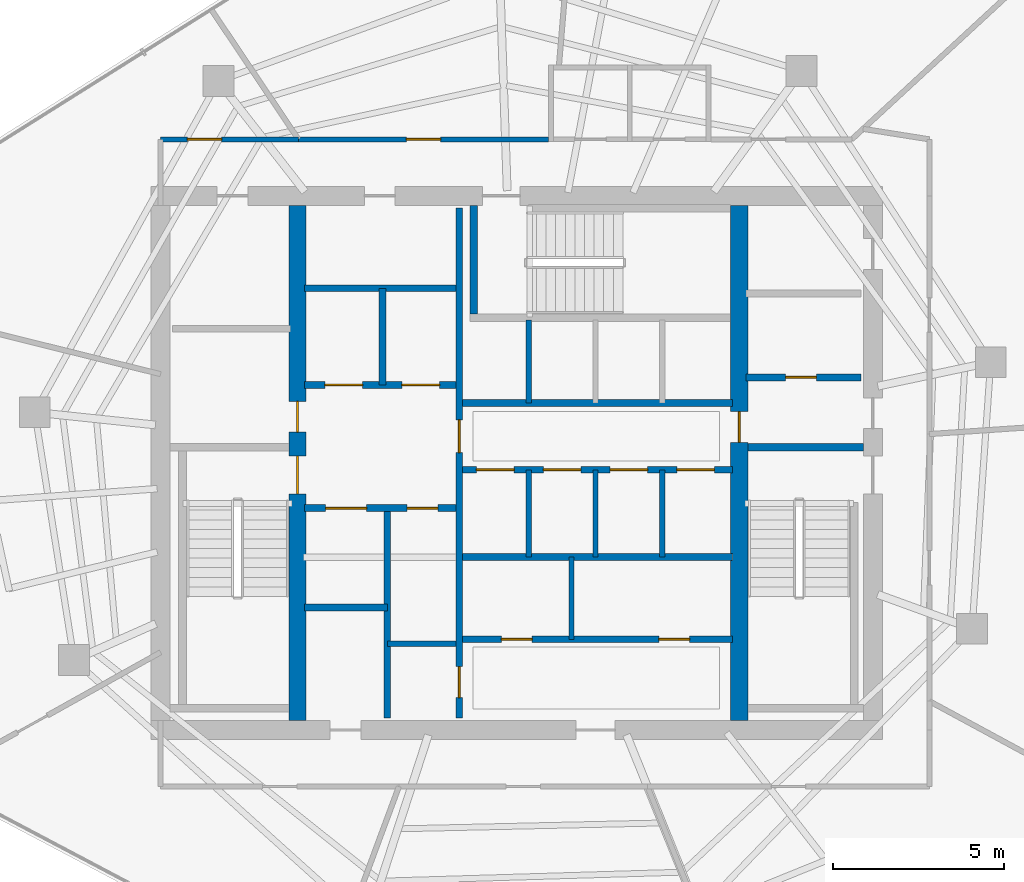
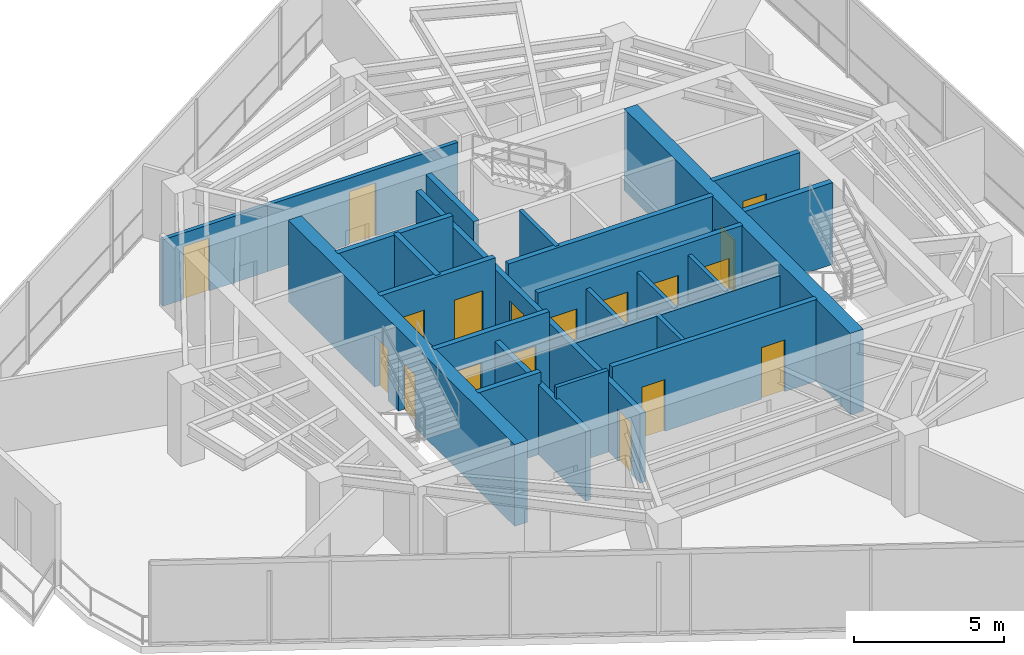
# One storey, part 15 of 19: 24 walls, 18 doors, 18 openings.
"""IFC4 building model written with IfcOpenShell, lengths in metres."""

from ifc_helpers import new_model, si_unit, direction, frame, frame_2d, origin, place, context, subcontext, project, spatial, rectangle, extrude, material, layer, layer_set, type_object, element, fill, save


model = new_model("IFC4")

# Units and contexts
model_context = context("Model", 3, precision=1e-05, world=origin(), true_north=direction((0.0, 1.0)))
body_context = subcontext(model_context, "Body", "Model", "MODEL_VIEW")
ifc_project = project(units=[si_unit("LENGTHUNIT", "METRE"), si_unit("AREAUNIT", "SQUARE_METRE"), si_unit("VOLUMEUNIT", "CUBIC_METRE"), si_unit("PLANEANGLEUNIT", "RADIAN"), si_unit("MASSUNIT", "GRAM", prefix="KILO")], contexts=[model_context])

# Site, building, storey
site_placement = place(None, origin())
site = spatial("IfcSite", under=ifc_project, at=site_placement, CompositionType="ELEMENT")
building_placement = place(site_placement, origin())
building = spatial("IfcBuilding", under=site, at=building_placement, Name="Qarnah Convention Tower", CompositionType="ELEMENT")
storey_placement = place(building_placement, frame((0.0, 0.0, 187.800048828125)))
storey = spatial("IfcBuildingStorey", under=building, at=storey_placement, Name="L50", CompositionType="ELEMENT", Elevation=187.800048828125)

# Wall, openings, doors
ifc_material_1 = material(Name="Concrete C60/75", Category="concrete")
ifc_layer_1 = layer(ifc_material_1, 0.5)
ifc_layer_set_1 = layer_set([ifc_layer_1], Name="Concrete C60/75")
wall_type_1 = type_object("IfcWallType", Name="WL-CORE-INT-400", PredefinedType="SHEAR", material=ifc_layer_set_1)
wall_1_placement = place(storey_placement, frame((30.800048828125, 18.875, 0.0), z_axis=(0.0, 0.0, 1.0), x_axis=(0.0, 1.0, 0.0)))
wall_1 = element("IfcWall", 1, at=wall_1_placement, inside=storey, type_object=wall_type_1, Name="L50 core west spine shear wall", PredefinedType="SHEAR", context=body_context, shape_type="SweptSolid", body=[
    extrude(rectangle(XDim=15.050048828125, YDim=0.5, at=frame_2d((7.52490234375, 0.0))), origin(), (0.0, 0.0, 1.0), 3.320068359375),
])
opening_1_placement = place(wall_1_placement, frame((6.625, 0.0, 0.0)))
opening_1 = element("IfcOpeningElement", 2, at=opening_1_placement, cuts=wall_1, Name="Opening D-5001", PredefinedType="OPENING", context=body_context, shape_type="SweptSolid", body=[
    extrude(rectangle(XDim=1.10009765625, YDim=2.14990234375, at=frame_2d((0.550048828125, 1.074951171875))), frame((0.0, 0.260009765625, 0.0), z_axis=(0.0, -1.0, 0.0), x_axis=(1.0, 0.0, 0.0)), (0.0, 0.0, 1.0), 0.52001953125),
])
opening_2_placement = place(wall_1_placement, frame((8.425048828125, 0.0, 0.0)))
opening_2 = element("IfcOpeningElement", 3, at=opening_2_placement, cuts=wall_1, Name="Opening D-5008", PredefinedType="OPENING", context=body_context, shape_type="SweptSolid", body=[
    extrude(rectangle(XDim=0.89990234375, YDim=2.10009765625, at=frame_2d((0.449951171875, 1.050048828125))), frame((0.0, 0.260009765625, 0.0), z_axis=(0.0, -1.0, 0.0), x_axis=(1.0, 0.0, 0.0)), (0.0, 0.0, 1.0), 0.52001953125),
])
ifc_material_2 = material(Name="Structural steel S355JR", Category="steel")
door_type_1 = type_object("IfcDoorType", Name="DT-RISER-900", OperationType="NOTDEFINED", PredefinedType="DOOR", material=ifc_material_2)
door_1_placement = place(opening_2_placement, origin())
door_1 = element("IfcDoor", 4, at=door_1_placement, inside=storey, type_object=door_type_1, Name="Door D-5008", OperationType="SINGLE_SWING_LEFT", OverallHeight=2.10009765625, OverallWidth=0.89990234375, PredefinedType="DOOR", context=body_context, shape_type="SweptSolid", body=[
    extrude(rectangle(XDim=0.89990234375, YDim=2.10009765625, at=frame_2d((0.449951171875, 1.050048828125))), frame((0.0, 0.02490234375, 0.0), z_axis=(0.0, -1.0, 0.0), x_axis=(1.0, 0.0, 0.0)), (0.0, 0.0, 1.0), 0.050048828125),
])
fill(opening_2, door_1)
door_type_2 = type_object("IfcDoorType", Name="DT-STAIR-1100", OperationType="NOTDEFINED", PredefinedType="DOOR", material=ifc_material_2)
door_2_placement = place(opening_1_placement, origin())
door_2 = element("IfcDoor", 5, at=door_2_placement, inside=storey, type_object=door_type_2, Name="Door D-5001", OperationType="SINGLE_SWING_RIGHT", OverallHeight=2.14990234375, OverallWidth=1.10009765625, PredefinedType="DOOR", context=body_context, shape_type="SweptSolid", body=[
    extrude(rectangle(XDim=1.10009765625, YDim=2.14990234375, at=frame_2d((0.550048828125, 1.074951171875))), frame((0.0, 0.02490234375, 0.0), z_axis=(0.0, -1.0, 0.0), x_axis=(1.0, 0.0, 0.0)), (0.0, 0.0, 1.0), 0.050048828125),
])
fill(opening_1, door_2)

# Wall, opening, door
wall_2_placement = place(storey_placement, frame((43.699951171875, 18.875, 0.0), z_axis=(0.0, 0.0, 1.0), x_axis=(0.0, 1.0, 0.0)))
wall_2 = element("IfcWall", 6, at=wall_2_placement, inside=storey, type_object=wall_type_1, Name="L50 core east spine shear wall", PredefinedType="SHEAR", context=body_context, shape_type="SweptSolid", body=[
    extrude(rectangle(XDim=15.050048828125, YDim=0.5, at=frame_2d((7.52490234375, 0.0))), origin(), (0.0, 0.0, 1.0), 3.320068359375),
])
opening_3_placement = place(wall_2_placement, frame((8.125, 0.0, 0.0)))
opening_3 = element("IfcOpeningElement", 7, at=opening_3_placement, cuts=wall_2, Name="Opening D-5005", PredefinedType="OPENING", context=body_context, shape_type="SweptSolid", body=[
    extrude(rectangle(XDim=0.89990234375, YDim=2.10009765625, at=frame_2d((0.449951171875, 1.050048828125))), frame((0.0, 0.260009765625, 0.0), z_axis=(0.0, -1.0, 0.0), x_axis=(1.0, 0.0, 0.0)), (0.0, 0.0, 1.0), 0.52001953125),
])
door_3_placement = place(opening_3_placement, origin())
door_3 = element("IfcDoor", 8, at=door_3_placement, inside=storey, type_object=door_type_1, Name="Door D-5005", OperationType="SINGLE_SWING_RIGHT", OverallHeight=2.10009765625, OverallWidth=0.89990234375, PredefinedType="DOOR", context=body_context, shape_type="SweptSolid", body=[
    extrude(rectangle(XDim=0.89990234375, YDim=2.10009765625, at=frame_2d((0.449951171875, 1.050048828125))), frame((0.0, 0.02490234375, 0.0), z_axis=(0.0, -1.0, 0.0), x_axis=(1.0, 0.0, 0.0)), (0.0, 0.0, 1.0), 0.050048828125),
])
fill(opening_3, door_3)

ifc_material_3 = material(Name="Concrete C45/55", Category="concrete")
ifc_layer_2 = layer(ifc_material_3, 0.199951171875)
ifc_layer_set_2 = layer_set([ifc_layer_2], Name="Concrete C45/55")
wall_type_2 = type_object("IfcWallType", Name="WL-CORE-PART-200", PredefinedType="SOLIDWALL", material=ifc_layer_set_2)
wall_3_placement = place(storey_placement, frame((43.89990234375, 28.89990234375, 0.0), z_axis=(0.0, 0.0, 1.0), x_axis=(1.0, 0.0, 0.0)))
wall_3 = element("IfcWall", 9, at=wall_3_placement, inside=storey, type_object=wall_type_2, Name="L50 interior wall IW-L50-EVSTN", PredefinedType="SOLIDWALL", context=body_context, shape_type="SweptSolid", body=[
    extrude(rectangle(XDim=3.35009765625, YDim=0.199951171875, at=frame_2d((1.675048828125, 0.0))), origin(), (0.0, 0.0, 1.0), 3.320068359375),
])
opening_4_placement = place(wall_3_placement, frame((1.14990234375, 0.0, 0.0)))
opening_4 = element("IfcOpeningElement", 10, at=opening_4_placement, cuts=wall_3, Name="Opening D-5011", PredefinedType="OPENING", context=body_context, shape_type="SweptSolid", body=[
    extrude(rectangle(XDim=0.89990234375, YDim=2.10009765625, at=frame_2d((0.449951171875, 1.050048828125))), frame((0.0, 0.10986328125, 0.0), z_axis=(0.0, -1.0, 0.0), x_axis=(1.0, 0.0, 0.0)), (0.0, 0.0, 1.0), 0.219970703125),
])
door_4_placement = place(opening_4_placement, origin())
door_4 = element("IfcDoor", 11, at=door_4_placement, inside=storey, type_object=door_type_1, Name="Door D-5011", OperationType="SINGLE_SWING_RIGHT", OverallHeight=2.10009765625, OverallWidth=0.89990234375, PredefinedType="DOOR", context=body_context, shape_type="SweptSolid", body=[
    extrude(rectangle(XDim=0.89990234375, YDim=2.10009765625, at=frame_2d((0.449951171875, 1.050048828125))), frame((0.0, 0.02490234375, 0.0), z_axis=(0.0, -1.0, 0.0), x_axis=(1.0, 0.0, 0.0)), (0.0, 0.0, 1.0), 0.050048828125),
])
fill(opening_4, door_4)

# Wall, openings, doors
wall_4_placement = place(storey_placement, frame((35.52001953125, 18.949951171875, 0.0), z_axis=(0.0, 0.0, 1.0), x_axis=(0.0, 1.0, 0.0)))
wall_4 = element("IfcWall", 12, at=wall_4_placement, inside=storey, type_object=wall_type_2, Name="L50 interior wall IW-L50-CSP", PredefinedType="SOLIDWALL", context=body_context, shape_type="SweptSolid", body=[
    extrude(rectangle(XDim=14.900146484375, YDim=0.199951171875, at=frame_2d((7.4501953125, 0.0))), origin(), (0.0, 0.0, 1.0), 2.841064453125),
])
opening_5_placement = place(wall_4_placement, frame((7.7548828125, 0.0, 0.0)))
opening_5 = element("IfcOpeningElement", 13, at=opening_5_placement, cuts=wall_4, Name="Opening D-5004", PredefinedType="OPENING", context=body_context, shape_type="SweptSolid", body=[
    extrude(rectangle(XDim=0.949951171875, YDim=2.14990234375, at=frame_2d((0.47509765625, 1.074951171875))), frame((0.0, 0.10986328125, 0.0), z_axis=(0.0, -1.0, 0.0), x_axis=(1.0, 0.0, 0.0)), (0.0, 0.0, 1.0), 0.219970703125),
])
opening_6_placement = place(wall_4_placement, frame((0.60009765625, 0.0, 0.0)))
opening_6 = element("IfcOpeningElement", 14, at=opening_6_placement, cuts=wall_4, Name="Opening D-5014", PredefinedType="OPENING", context=body_context, shape_type="SweptSolid", body=[
    extrude(rectangle(XDim=0.89990234375, YDim=2.10009765625, at=frame_2d((0.449951171875, 1.050048828125))), frame((0.0, 0.10986328125, 0.0), z_axis=(0.0, -1.0, 0.0), x_axis=(1.0, 0.0, 0.0)), (0.0, 0.0, 1.0), 0.219970703125),
])
ifc_material_4 = material(Name="Oak timber veneer", Category="wood")
door_type_3 = type_object("IfcDoorType", Name="DT-HOTEL-950", OperationType="NOTDEFINED", PredefinedType="DOOR", material=ifc_material_4)
door_5_placement = place(opening_5_placement, origin())
door_5 = element("IfcDoor", 15, at=door_5_placement, inside=storey, type_object=door_type_3, Name="Door D-5004", OperationType="SINGLE_SWING_LEFT", OverallHeight=2.14990234375, OverallWidth=0.949951171875, PredefinedType="DOOR", context=body_context, shape_type="SweptSolid", body=[
    extrude(rectangle(XDim=0.949951171875, YDim=2.14990234375, at=frame_2d((0.47509765625, 1.074951171875))), frame((0.0, 0.02490234375, 0.0), z_axis=(0.0, -1.0, 0.0), x_axis=(1.0, 0.0, 0.0)), (0.0, 0.0, 1.0), 0.050048828125),
])
fill(opening_5, door_5)
door_6_placement = place(opening_6_placement, origin())
door_6 = element("IfcDoor", 16, at=door_6_placement, inside=storey, type_object=door_type_1, Name="Door D-5014", OperationType="SINGLE_SWING_LEFT", OverallHeight=2.10009765625, OverallWidth=0.89990234375, PredefinedType="DOOR", context=body_context, shape_type="SweptSolid", body=[
    extrude(rectangle(XDim=0.89990234375, YDim=2.10009765625, at=frame_2d((0.449951171875, 1.050048828125))), frame((0.0, 0.02490234375, 0.0), z_axis=(0.0, -1.0, 0.0), x_axis=(1.0, 0.0, 0.0)), (0.0, 0.0, 1.0), 0.050048828125),
])
fill(opening_6, door_6)

wall_5_placement = place(storey_placement, frame((31.0, 28.679931640625, 0.0), z_axis=(0.0, 0.0, 1.0), x_axis=(1.0, 0.0, 0.0)))
wall_5 = element("IfcWall", 17, at=wall_5_placement, inside=storey, type_object=wall_type_2, Name="L50 interior wall IW-L50-FFLS", PredefinedType="SOLIDWALL", context=body_context, shape_type="SweptSolid", body=[
    extrude(rectangle(XDim=4.419921875, YDim=0.199951171875, at=frame_2d((2.2099609375, 0.0))), origin(), (0.0, 0.0, 1.0), 3.320068359375),
])
opening_7_placement = place(wall_5_placement, frame((0.60009765625, 0.0, 0.0)))
opening_7 = element("IfcOpeningElement", 18, at=opening_7_placement, cuts=wall_5, Name="Opening LD-5001", PredefinedType="OPENING", context=body_context, shape_type="SweptSolid", body=[
    extrude(rectangle(XDim=1.10009765625, YDim=2.14990234375, at=frame_2d((0.550048828125, 1.074951171875))), frame((0.0, 0.10986328125, 0.0), z_axis=(0.0, -1.0, 0.0), x_axis=(1.0, 0.0, 0.0)), (0.0, 0.0, 1.0), 0.219970703125),
])
opening_8_placement = place(wall_5_placement, frame((2.85009765625, 0.0, 0.0)))
opening_8 = element("IfcOpeningElement", 19, at=opening_8_placement, cuts=wall_5, Name="Opening LD-5002", PredefinedType="OPENING", context=body_context, shape_type="SweptSolid", body=[
    extrude(rectangle(XDim=1.10009765625, YDim=2.14990234375, at=frame_2d((0.550048828125, 1.074951171875))), frame((0.0, 0.10986328125, 0.0), z_axis=(0.0, -1.0, 0.0), x_axis=(1.0, 0.0, 0.0)), (0.0, 0.0, 1.0), 0.219970703125),
])
door_type_4 = type_object("IfcDoorType", Name="DT-LIFT-1100", OperationType="SLIDING_TO_LEFT", PredefinedType="DOOR", material=ifc_material_2)
door_7_placement = place(opening_7_placement, origin())
door_7 = element("IfcDoor", 20, at=door_7_placement, inside=storey, type_object=door_type_4, Name="Door LD-5001", OperationType="SLIDING_TO_LEFT", OverallHeight=2.14990234375, OverallWidth=1.10009765625, PredefinedType="DOOR", context=body_context, shape_type="SweptSolid", body=[
    extrude(rectangle(XDim=1.10009765625, YDim=2.14990234375, at=frame_2d((0.550048828125, 1.074951171875))), frame((0.0, 0.02490234375, 0.0), z_axis=(0.0, -1.0, 0.0), x_axis=(1.0, 0.0, 0.0)), (0.0, 0.0, 1.0), 0.050048828125),
])
fill(opening_7, door_7)
door_8_placement = place(opening_8_placement, origin())
door_8 = element("IfcDoor", 21, at=door_8_placement, inside=storey, type_object=door_type_4, Name="Door LD-5002", OperationType="SLIDING_TO_LEFT", OverallHeight=2.14990234375, OverallWidth=1.10009765625, PredefinedType="DOOR", context=body_context, shape_type="SweptSolid", body=[
    extrude(rectangle(XDim=1.10009765625, YDim=2.14990234375, at=frame_2d((0.550048828125, 1.074951171875))), frame((0.0, 0.02490234375, 0.0), z_axis=(0.0, -1.0, 0.0), x_axis=(1.0, 0.0, 0.0)), (0.0, 0.0, 1.0), 0.050048828125),
])
fill(opening_8, door_8)

# Walls
wall_6_placement = place(storey_placement, frame((31.0, 31.5, 0.0), z_axis=(0.0, 0.0, 1.0), x_axis=(1.0, 0.0, 0.0)))
element("IfcWall", 22, at=wall_6_placement, inside=storey, type_object=wall_type_2, Name="L50 interior wall IW-L50-FFLN", PredefinedType="SOLIDWALL", context=body_context, shape_type="SweptSolid", body=[
    extrude(rectangle(XDim=4.419921875, YDim=0.199951171875, at=frame_2d((2.2099609375, 0.0))), origin(), (0.0, 0.0, 1.0), 3.320068359375),
])
wall_7_placement = place(storey_placement, frame((33.280029296875, 28.679931640625, 0.0), z_axis=(0.0, 0.0, 1.0), x_axis=(0.0, 1.0, 0.0)))
element("IfcWall", 23, at=wall_7_placement, inside=storey, type_object=wall_type_2, Name="L50 interior wall IW-L50-FFLM", PredefinedType="SOLIDWALL", context=body_context, shape_type="SweptSolid", body=[
    extrude(rectangle(XDim=2.820068359375, YDim=0.199951171875, at=frame_2d((1.41015625, 0.0))), origin(), (0.0, 0.0, 1.0), 3.320068359375),
])

# Wall, openings, doors
wall_8_placement = place(storey_placement, frame((31.0, 25.080078125, 0.0), z_axis=(0.0, 0.0, 1.0), x_axis=(1.0, 0.0, 0.0)))
wall_8 = element("IfcWall", 24, at=wall_8_placement, inside=storey, type_object=wall_type_2, Name="L50 interior wall IW-L50-FFLBS", PredefinedType="SOLIDWALL", context=body_context, shape_type="SweptSolid", body=[
    extrude(rectangle(XDim=4.419921875, YDim=0.199951171875, at=frame_2d((2.2099609375, 0.0))), origin(), (0.0, 0.0, 1.0), 3.320068359375),
])
opening_9_placement = place(wall_8_placement, frame((3.0, 0.0, 0.0)))
opening_9 = element("IfcOpeningElement", 25, at=opening_9_placement, cuts=wall_8, Name="Opening D-5015", PredefinedType="OPENING", context=body_context, shape_type="SweptSolid", body=[
    extrude(rectangle(XDim=0.89990234375, YDim=2.10009765625, at=frame_2d((0.449951171875, 1.050048828125))), frame((0.0, 0.10986328125, 0.0), z_axis=(0.0, -1.0, 0.0), x_axis=(1.0, 0.0, 0.0)), (0.0, 0.0, 1.0), 0.219970703125),
])
opening_10_placement = place(wall_8_placement, frame((0.6201171875, 0.0, 0.0)))
opening_10 = element("IfcOpeningElement", 26, at=opening_10_placement, cuts=wall_8, Name="Opening LD-5003", PredefinedType="OPENING", context=body_context, shape_type="SweptSolid", body=[
    extrude(rectangle(XDim=1.199951171875, YDim=2.14990234375, at=frame_2d((0.60009765625, 1.074951171875))), frame((0.0, 0.10986328125, 0.0), z_axis=(0.0, -1.0, 0.0), x_axis=(1.0, 0.0, 0.0)), (0.0, 0.0, 1.0), 0.219970703125),
])
door_type_5 = type_object("IfcDoorType", Name="DT-LIFT-1200", OperationType="SLIDING_TO_LEFT", PredefinedType="DOOR", material=ifc_material_2)
door_9_placement = place(opening_10_placement, origin())
door_9 = element("IfcDoor", 27, at=door_9_placement, inside=storey, type_object=door_type_5, Name="Door LD-5003", OperationType="SLIDING_TO_LEFT", OverallHeight=2.14990234375, OverallWidth=1.199951171875, PredefinedType="DOOR", context=body_context, shape_type="SweptSolid", body=[
    extrude(rectangle(XDim=1.199951171875, YDim=2.14990234375, at=frame_2d((0.60009765625, 1.074951171875))), frame((0.0, 0.02490234375, 0.0), z_axis=(0.0, -1.0, 0.0), x_axis=(1.0, 0.0, 0.0)), (0.0, 0.0, 1.0), 0.050048828125),
])
fill(opening_10, door_9)
door_10_placement = place(opening_9_placement, origin())
door_10 = element("IfcDoor", 28, at=door_10_placement, inside=storey, type_object=door_type_1, Name="Door D-5015", OperationType="SINGLE_SWING_RIGHT", OverallHeight=2.10009765625, OverallWidth=0.89990234375, PredefinedType="DOOR", context=body_context, shape_type="SweptSolid", body=[
    extrude(rectangle(XDim=0.89990234375, YDim=2.10009765625, at=frame_2d((0.449951171875, 1.050048828125))), frame((0.0, 0.02490234375, 0.0), z_axis=(0.0, -1.0, 0.0), x_axis=(1.0, 0.0, 0.0)), (0.0, 0.0, 1.0), 0.050048828125),
])
fill(opening_9, door_10)

# Walls
wall_9_placement = place(storey_placement, frame((33.419921875, 18.949951171875, 0.0), z_axis=(0.0, 0.0, 1.0), x_axis=(0.0, 1.0, 0.0)))
element("IfcWall", 29, at=wall_9_placement, inside=storey, type_object=wall_type_2, Name="L50 interior wall IW-L50-SVLE", PredefinedType="SOLIDWALL", context=body_context, shape_type="SweptSolid", body=[
    extrude(rectangle(XDim=6.130126953125, YDim=0.199951171875, at=frame_2d((3.06494140625, 0.0))), origin(), (0.0, 0.0, 1.0), 2.841064453125),
])
wall_10_placement = place(storey_placement, frame((31.0, 22.179931640625, 0.0), z_axis=(0.0, 0.0, 1.0), x_axis=(1.0, 0.0, 0.0)))
element("IfcWall", 30, at=wall_10_placement, inside=storey, type_object=wall_type_2, Name="L50 interior wall IW-L50-SVLS", PredefinedType="SOLIDWALL", context=body_context, shape_type="SweptSolid", body=[
    extrude(rectangle(XDim=2.419921875, YDim=0.199951171875, at=frame_2d((1.2099609375, 0.0))), origin(), (0.0, 0.0, 1.0), 3.320068359375),
])
wall_11_placement = place(storey_placement, frame((35.6201171875, 28.14990234375, 0.0), z_axis=(0.0, 0.0, 1.0), x_axis=(1.0, 0.0, 0.0)))
element("IfcWall", 31, at=wall_11_placement, inside=storey, type_object=wall_type_2, Name="L50 interior wall IW-L50-PHS", PredefinedType="SOLIDWALL", context=body_context, shape_type="SweptSolid", body=[
    extrude(rectangle(XDim=7.8798828125, YDim=0.199951171875, at=frame_2d((3.93994140625, 0.0))), origin(), (0.0, 0.0, 1.0), 3.320068359375),
])

# Wall, openings, doors
wall_12_placement = place(storey_placement, frame((35.6201171875, 26.199951171875, 0.0), z_axis=(0.0, 0.0, 1.0), x_axis=(1.0, 0.0, 0.0)))
wall_12 = element("IfcWall", 32, at=wall_12_placement, inside=storey, type_object=wall_type_2, Name="L50 interior wall IW-L50-PMN", PredefinedType="SOLIDWALL", context=body_context, shape_type="SweptSolid", body=[
    extrude(rectangle(XDim=7.8798828125, YDim=0.199951171875, at=frame_2d((3.93994140625, 0.0))), origin(), (0.0, 0.0, 1.0), 3.320068359375),
])
opening_11_placement = place(wall_12_placement, frame((0.405029296875, 0.0, 0.0)))
opening_11 = element("IfcOpeningElement", 33, at=opening_11_placement, cuts=wall_12, Name="Opening LD-5004", PredefinedType="OPENING", context=body_context, shape_type="SweptSolid", body=[
    extrude(rectangle(XDim=1.10009765625, YDim=2.14990234375, at=frame_2d((0.550048828125, 1.074951171875))), frame((0.0, 0.10986328125, 0.0), z_axis=(0.0, -1.0, 0.0), x_axis=(1.0, 0.0, 0.0)), (0.0, 0.0, 1.0), 0.219970703125),
])
opening_12_placement = place(wall_12_placement, frame((2.35498046875, 0.0, 0.0)))
opening_12 = element("IfcOpeningElement", 34, at=opening_12_placement, cuts=wall_12, Name="Opening LD-5005", PredefinedType="OPENING", context=body_context, shape_type="SweptSolid", body=[
    extrude(rectangle(XDim=1.10009765625, YDim=2.14990234375, at=frame_2d((0.550048828125, 1.074951171875))), frame((0.0, 0.10986328125, 0.0), z_axis=(0.0, -1.0, 0.0), x_axis=(1.0, 0.0, 0.0)), (0.0, 0.0, 1.0), 0.219970703125),
])
opening_13_placement = place(wall_12_placement, frame((4.304931640625, 0.0, 0.0)))
opening_13 = element("IfcOpeningElement", 35, at=opening_13_placement, cuts=wall_12, Name="Opening LD-5006", PredefinedType="OPENING", context=body_context, shape_type="SweptSolid", body=[
    extrude(rectangle(XDim=1.10009765625, YDim=2.14990234375, at=frame_2d((0.550048828125, 1.074951171875))), frame((0.0, 0.10986328125, 0.0), z_axis=(0.0, -1.0, 0.0), x_axis=(1.0, 0.0, 0.0)), (0.0, 0.0, 1.0), 0.219970703125),
])
opening_14_placement = place(wall_12_placement, frame((6.2548828125, 0.0, 0.0)))
opening_14 = element("IfcOpeningElement", 36, at=opening_14_placement, cuts=wall_12, Name="Opening LD-5007", PredefinedType="OPENING", context=body_context, shape_type="SweptSolid", body=[
    extrude(rectangle(XDim=1.10009765625, YDim=2.14990234375, at=frame_2d((0.550048828125, 1.074951171875))), frame((0.0, 0.10986328125, 0.0), z_axis=(0.0, -1.0, 0.0), x_axis=(1.0, 0.0, 0.0)), (0.0, 0.0, 1.0), 0.219970703125),
])
door_11_placement = place(opening_11_placement, origin())
door_11 = element("IfcDoor", 37, at=door_11_placement, inside=storey, type_object=door_type_4, Name="Door LD-5004", OperationType="SLIDING_TO_LEFT", OverallHeight=2.14990234375, OverallWidth=1.10009765625, PredefinedType="DOOR", context=body_context, shape_type="SweptSolid", body=[
    extrude(rectangle(XDim=1.10009765625, YDim=2.14990234375, at=frame_2d((0.550048828125, 1.074951171875))), frame((0.0, 0.02490234375, 0.0), z_axis=(0.0, -1.0, 0.0), x_axis=(1.0, 0.0, 0.0)), (0.0, 0.0, 1.0), 0.050048828125),
])
fill(opening_11, door_11)
door_12_placement = place(opening_12_placement, origin())
door_12 = element("IfcDoor", 38, at=door_12_placement, inside=storey, type_object=door_type_4, Name="Door LD-5005", OperationType="SLIDING_TO_LEFT", OverallHeight=2.14990234375, OverallWidth=1.10009765625, PredefinedType="DOOR", context=body_context, shape_type="SweptSolid", body=[
    extrude(rectangle(XDim=1.10009765625, YDim=2.14990234375, at=frame_2d((0.550048828125, 1.074951171875))), frame((0.0, 0.02490234375, 0.0), z_axis=(0.0, -1.0, 0.0), x_axis=(1.0, 0.0, 0.0)), (0.0, 0.0, 1.0), 0.050048828125),
])
fill(opening_12, door_12)
door_13_placement = place(opening_13_placement, origin())
door_13 = element("IfcDoor", 39, at=door_13_placement, inside=storey, type_object=door_type_4, Name="Door LD-5006", OperationType="SLIDING_TO_LEFT", OverallHeight=2.14990234375, OverallWidth=1.10009765625, PredefinedType="DOOR", context=body_context, shape_type="SweptSolid", body=[
    extrude(rectangle(XDim=1.10009765625, YDim=2.14990234375, at=frame_2d((0.550048828125, 1.074951171875))), frame((0.0, 0.02490234375, 0.0), z_axis=(0.0, -1.0, 0.0), x_axis=(1.0, 0.0, 0.0)), (0.0, 0.0, 1.0), 0.050048828125),
])
fill(opening_13, door_13)
door_14_placement = place(opening_14_placement, origin())
door_14 = element("IfcDoor", 40, at=door_14_placement, inside=storey, type_object=door_type_4, Name="Door LD-5007", OperationType="SLIDING_TO_LEFT", OverallHeight=2.14990234375, OverallWidth=1.10009765625, PredefinedType="DOOR", context=body_context, shape_type="SweptSolid", body=[
    extrude(rectangle(XDim=1.10009765625, YDim=2.14990234375, at=frame_2d((0.550048828125, 1.074951171875))), frame((0.0, 0.02490234375, 0.0), z_axis=(0.0, -1.0, 0.0), x_axis=(1.0, 0.0, 0.0)), (0.0, 0.0, 1.0), 0.050048828125),
])
fill(opening_14, door_14)

# Wall
wall_13_placement = place(storey_placement, frame((35.6201171875, 23.64990234375, 0.0), z_axis=(0.0, 0.0, 1.0), x_axis=(1.0, 0.0, 0.0)))
element("IfcWall", 41, at=wall_13_placement, inside=storey, type_object=wall_type_2, Name="L50 interior wall IW-L50-PMPL", PredefinedType="SOLIDWALL", context=body_context, shape_type="SweptSolid", body=[
    extrude(rectangle(XDim=7.8798828125, YDim=0.199951171875, at=frame_2d((3.93994140625, 0.0))), origin(), (0.0, 0.0, 1.0), 2.841064453125),
])

# Wall, openings, doors
wall_14_placement = place(storey_placement, frame((35.6201171875, 21.25, 0.0), z_axis=(0.0, 0.0, 1.0), x_axis=(1.0, 0.0, 0.0)))
wall_14 = element("IfcWall", 42, at=wall_14_placement, inside=storey, type_object=wall_type_2, Name="L50 interior wall IW-L50-PLS", PredefinedType="SOLIDWALL", context=body_context, shape_type="SweptSolid", body=[
    extrude(rectangle(XDim=7.8798828125, YDim=0.199951171875, at=frame_2d((3.93994140625, 0.0))), origin(), (0.0, 0.0, 1.0), 3.320068359375),
])
opening_15_placement = place(wall_14_placement, frame((1.1298828125, 0.0, 0.0)))
opening_15 = element("IfcOpeningElement", 43, at=opening_15_placement, cuts=wall_14, Name="Opening D-5016", PredefinedType="OPENING", context=body_context, shape_type="SweptSolid", body=[
    extrude(rectangle(XDim=0.89990234375, YDim=2.10009765625, at=frame_2d((0.449951171875, 1.050048828125))), frame((0.0, 0.10986328125, 0.0), z_axis=(0.0, -1.0, 0.0), x_axis=(1.0, 0.0, 0.0)), (0.0, 0.0, 1.0), 0.219970703125),
])
opening_16_placement = place(wall_14_placement, frame((5.72998046875, 0.0, 0.0)))
opening_16 = element("IfcOpeningElement", 44, at=opening_16_placement, cuts=wall_14, Name="Opening D-5017", PredefinedType="OPENING", context=body_context, shape_type="SweptSolid", body=[
    extrude(rectangle(XDim=0.89990234375, YDim=2.10009765625, at=frame_2d((0.449951171875, 1.050048828125))), frame((0.0, 0.10986328125, 0.0), z_axis=(0.0, -1.0, 0.0), x_axis=(1.0, 0.0, 0.0)), (0.0, 0.0, 1.0), 0.219970703125),
])
door_15_placement = place(opening_15_placement, origin())
door_15 = element("IfcDoor", 45, at=door_15_placement, inside=storey, type_object=door_type_1, Name="Door D-5016", OperationType="SINGLE_SWING_LEFT", OverallHeight=2.10009765625, OverallWidth=0.89990234375, PredefinedType="DOOR", context=body_context, shape_type="SweptSolid", body=[
    extrude(rectangle(XDim=0.89990234375, YDim=2.10009765625, at=frame_2d((0.449951171875, 1.050048828125))), frame((0.0, 0.02490234375, 0.0), z_axis=(0.0, -1.0, 0.0), x_axis=(1.0, 0.0, 0.0)), (0.0, 0.0, 1.0), 0.050048828125),
])
fill(opening_15, door_15)
door_16_placement = place(opening_16_placement, origin())
door_16 = element("IfcDoor", 46, at=door_16_placement, inside=storey, type_object=door_type_1, Name="Door D-5017", OperationType="SINGLE_SWING_RIGHT", OverallHeight=2.10009765625, OverallWidth=0.89990234375, PredefinedType="DOOR", context=body_context, shape_type="SweptSolid", body=[
    extrude(rectangle(XDim=0.89990234375, YDim=2.10009765625, at=frame_2d((0.449951171875, 1.050048828125))), frame((0.0, 0.02490234375, 0.0), z_axis=(0.0, -1.0, 0.0), x_axis=(1.0, 0.0, 0.0)), (0.0, 0.0, 1.0), 0.050048828125),
])
fill(opening_16, door_16)

# Walls
ifc_layer_3 = layer(ifc_material_1, 0.219970703125)
ifc_layer_set_3 = layer_set([ifc_layer_3], Name="Concrete C60/75")
wall_type_3 = type_object("IfcWallType", Name="WL-CORE-STAIR-220", PredefinedType="SHEAR", material=ifc_layer_set_3)
wall_15_placement = place(storey_placement, frame((43.949951171875, 26.860107421875, 0.0), z_axis=(0.0, 0.0, 1.0), x_axis=(1.0, 0.0, 0.0)))
element("IfcWall", 47, at=wall_15_placement, inside=storey, type_object=wall_type_3, Name="L50 stair shaft shear wall SW-L50-ST2N", PredefinedType="SHEAR", context=body_context, shape_type="SweptSolid", body=[
    extrude(rectangle(XDim=3.375, YDim=0.219970703125, at=frame_2d((1.6875, 0.0))), origin(), (0.0, 0.0, 1.0), 3.320068359375),
])
wall_16_placement = place(storey_placement, frame((35.93994140625, 30.75, 0.0), z_axis=(0.0, 0.0, 1.0), x_axis=(0.0, 1.0, 0.0)))
element("IfcWall", 48, at=wall_16_placement, inside=storey, type_object=wall_type_3, Name="L50 stair shaft shear wall SW-L50-ST3W", PredefinedType="SHEAR", context=body_context, shape_type="SweptSolid", body=[
    extrude(rectangle(XDim=3.175048828125, YDim=0.219970703125, at=frame_2d((1.58740234375, 0.0))), origin(), (0.0, 0.0, 1.0), 3.320068359375),
])
ifc_material_5 = material(Name="Gypsum partition board")
ifc_layer_4 = layer(ifc_material_5, 0.14990234375)
ifc_layer_set_4 = layer_set([ifc_layer_4], Name="Gypsum partition board")
wall_type_4 = type_object("IfcWallType", Name="WL-SUITE-150", PredefinedType="PARTITIONING", material=ifc_layer_set_4)
wall_17_placement = place(storey_placement, frame((33.419921875, 21.1201171875, 0.0), z_axis=(0.0, 0.0, 1.0), x_axis=(1.0, 0.0, 0.0)))
element("IfcWall", 49, at=wall_17_placement, inside=storey, type_object=wall_type_4, Name="L50 interior wall IW-L50-CSV1", PredefinedType="PARTITIONING", context=body_context, shape_type="SweptSolid", body=[
    extrude(rectangle(XDim=2.0, YDim=0.14990234375, at=frame_2d((1.0, 0.0))), origin(), (0.0, 0.0, 1.0), 3.320068359375),
])
wall_18_placement = place(storey_placement, frame((37.550048828125, 28.14990234375, 0.0), z_axis=(0.0, 0.0, 1.0), x_axis=(0.0, 1.0, 0.0)))
element("IfcWall", 50, at=wall_18_placement, inside=storey, type_object=wall_type_4, Name="L50 interior wall IW-L50-PHD1", PredefinedType="PARTITIONING", context=body_context, shape_type="SweptSolid", body=[
    extrude(rectangle(XDim=2.43017578125, YDim=0.14990234375, at=frame_2d((1.215087890625, 0.0))), origin(), (0.0, 0.0, 1.0), 3.320068359375),
])
for number, where, z_axis, x_axis, name in (
    (51, (37.550048828125, 23.64990234375, 0.0), (0.0, 0.0, 1.0), (0.0, 1.0, 0.0), "L50 interior wall IW-L50-PMD1"),
    (52, (39.5, 23.64990234375, 0.0), (0.0, 0.0, 1.0), (0.0, 1.0, 0.0), "L50 interior wall IW-L50-PMD2"),
    (53, (41.449951171875, 23.64990234375, 0.0), (0.0, 0.0, 1.0), (0.0, 1.0, 0.0), "L50 interior wall IW-L50-PMD3"),
):
    element("IfcWall", number, at=place(storey_placement, frame(where, z_axis=z_axis, x_axis=x_axis)), inside=storey, type_object=wall_type_4, Name=name, PredefinedType="PARTITIONING", context=body_context, shape_type="SweptSolid", body=[
        extrude(rectangle(XDim=2.550048828125, YDim=0.14990234375, at=frame_2d((1.27490234375, 0.0))), origin(), (0.0, 0.0, 1.0), 2.841064453125),
    ])
wall_19_placement = place(storey_placement, frame((38.800048828125, 21.25, 0.0), z_axis=(0.0, 0.0, 1.0), x_axis=(0.0, 1.0, 0.0)))
element("IfcWall", 54, at=wall_19_placement, inside=storey, type_object=wall_type_4, Name="L50 interior wall IW-L50-PLFD", PredefinedType="PARTITIONING", context=body_context, shape_type="SweptSolid", body=[
    extrude(rectangle(XDim=2.39990234375, YDim=0.14990234375, at=frame_2d((1.199951171875, 0.0))), origin(), (0.0, 0.0, 1.0), 2.841064453125),
])

# Wall, opening, door
wall_20_placement = place(storey_placement, frame((30.825927734375, 35.85009765625, 0.0), z_axis=(0.0, 0.0, 1.0), x_axis=(1.0, 0.0, 0.0)))
wall_20 = element("IfcWall", 55, at=wall_20_placement, inside=storey, type_object=wall_type_4, Name="L50 interior wall IW-L50-R-16", PredefinedType="PARTITIONING", context=body_context, shape_type="SweptSolid", body=[
    extrude(rectangle(XDim=7.303955078125, YDim=0.14990234375, at=frame_2d((3.65185546875, 0.0))), origin(), (0.0, 0.0, 1.0), 2.697021484375),
])
opening_17_placement = place(wall_20_placement, frame((3.152099609375, 0.0, 0.0)))
opening_17 = element("IfcOpeningElement", 56, at=opening_17_placement, cuts=wall_20, Name="Opening D-5022", PredefinedType="OPENING", context=body_context, shape_type="SweptSolid", body=[
    extrude(rectangle(XDim=1.0, YDim=2.14990234375, at=frame_2d((0.5, 1.074951171875))), frame((0.0, 0.0849609375, 0.0), z_axis=(0.0, -1.0, 0.0), x_axis=(1.0, 0.0, 0.0)), (0.0, 0.0, 1.0), 0.169921875),
])
door_type_6 = type_object("IfcDoorType", Name="DT-OFFICE-1000", OperationType="NOTDEFINED", PredefinedType="DOOR", material=ifc_material_4)
door_17_placement = place(opening_17_placement, origin())
door_17 = element("IfcDoor", 57, at=door_17_placement, inside=storey, type_object=door_type_6, Name="Door D-5022", OperationType="SINGLE_SWING_LEFT", OverallHeight=2.14990234375, OverallWidth=1.0, PredefinedType="DOOR", context=body_context, shape_type="SweptSolid", body=[
    extrude(rectangle(XDim=1.0, YDim=2.14990234375, at=frame_2d((0.5, 1.074951171875))), frame((0.0, 0.02490234375, 0.0), z_axis=(0.0, -1.0, 0.0), x_axis=(1.0, 0.0, 0.0)), (0.0, 0.0, 1.0), 0.050048828125),
])
fill(opening_17, door_17)

wall_21_placement = place(storey_placement, frame((26.800048828125, 35.85009765625, 0.0), z_axis=(0.0, 0.0, 1.0), x_axis=(1.0, 0.0, 0.0)))
wall_21 = element("IfcWall", 58, at=wall_21_placement, inside=storey, type_object=wall_type_4, Name="L50 interior wall IW-L50-R-19", PredefinedType="PARTITIONING", context=body_context, shape_type="SweptSolid", body=[
    extrude(rectangle(XDim=4.02587890625, YDim=0.14990234375, at=frame_2d((2.012939453125, 0.0))), origin(), (0.0, 0.0, 1.0), 2.697021484375),
])
opening_18_placement = place(wall_21_placement, frame((0.785888671875, 0.0, 0.0)))
opening_18 = element("IfcOpeningElement", 59, at=opening_18_placement, cuts=wall_21, Name="Opening D-5023", PredefinedType="OPENING", context=body_context, shape_type="SweptSolid", body=[
    extrude(rectangle(XDim=1.0, YDim=2.14990234375, at=frame_2d((0.5, 1.074951171875))), frame((0.0, 0.0849609375, 0.0), z_axis=(0.0, -1.0, 0.0), x_axis=(1.0, 0.0, 0.0)), (0.0, 0.0, 1.0), 0.169921875),
])
door_18_placement = place(opening_18_placement, origin())
door_18 = element("IfcDoor", 60, at=door_18_placement, inside=storey, type_object=door_type_6, Name="Door D-5023", OperationType="SINGLE_SWING_LEFT", OverallHeight=2.14990234375, OverallWidth=1.0, PredefinedType="DOOR", context=body_context, shape_type="SweptSolid", body=[
    extrude(rectangle(XDim=1.0, YDim=2.14990234375, at=frame_2d((0.5, 1.074951171875))), frame((0.0, 0.02490234375, 0.0), z_axis=(0.0, -1.0, 0.0), x_axis=(1.0, 0.0, 0.0)), (0.0, 0.0, 1.0), 0.050048828125),
])
fill(opening_18, door_18)

save(model, "model.ifc")
